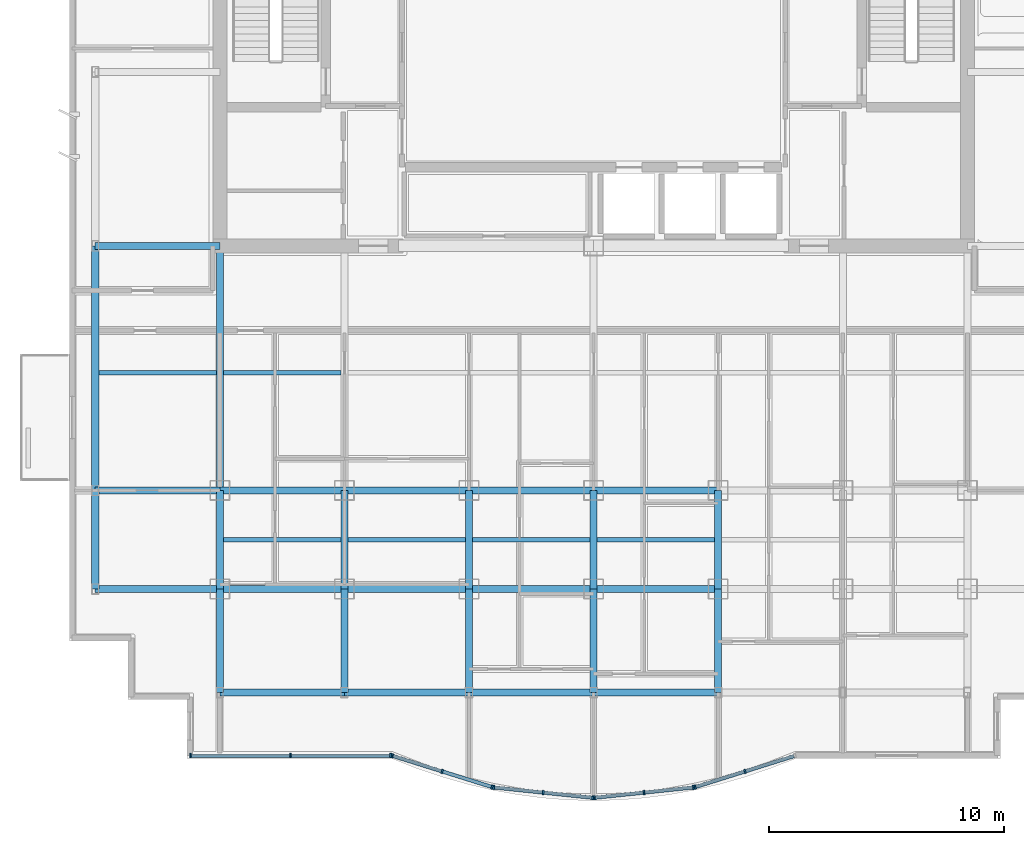
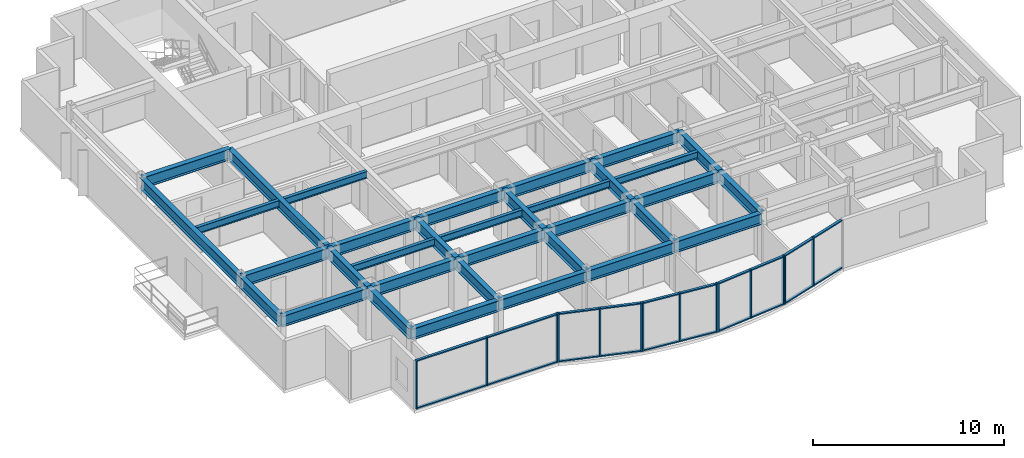
# One storey, part 2 of 11: 34 beams, 34 members, 5 elements without a shape of their own.
"""IFC4 building model written with IfcOpenShell, lengths in metres."""

from ifc_helpers import new_model, si_unit, direction, frame, origin, origin_2d, place, context, subcontext, project, spatial, rectangle, i_section, extrude, source, transform, mapped, material, layer, layer_set, material_profile, profile_set, type_object, element, aggregate, save


model = new_model("IFC4")

# Units and contexts
model_context = context("Model", 3, precision=1e-05, world=origin(), true_north=direction((0.0, 1.0)))
body_context = subcontext(model_context, "Body", "Model", "MODEL_VIEW")
ifc_project = project(units=[si_unit("LENGTHUNIT", "METRE"), si_unit("AREAUNIT", "SQUARE_METRE"), si_unit("VOLUMEUNIT", "CUBIC_METRE"), si_unit("PLANEANGLEUNIT", "RADIAN"), si_unit("MASSUNIT", "GRAM", prefix="KILO")], contexts=[model_context])

# Site, building, storey
site_placement = place(None, origin())
site = spatial("IfcSite", under=ifc_project, at=site_placement, CompositionType="ELEMENT")
building_placement = place(site_placement, origin())
building = spatial("IfcBuilding", under=site, at=building_placement, Name="Qianlan Lanfeng Residences", CompositionType="ELEMENT")
storey_placement = place(building_placement, frame((0.0, 0.0, 172.199951171875)))
storey = spatial("IfcBuildingStorey", under=building, at=storey_placement, Name="L47", CompositionType="ELEMENT", Elevation=172.199951171875)

# Beams
ifc_material_1 = material(Name="Steel SN490B", Category="steel")
ifc_material_profile_1 = material_profile(ifc_material_1, i_section(OverallWidth=0.300048828125, OverallDepth=0.699951171875, WebThickness=0.012939453125, FlangeThickness=0.02392578125, at=origin_2d()), Name="H 700x300x13x24")
ifc_profile_set_1 = profile_set([ifc_material_profile_1], Name="Steel SN490B")
beam_type_1 = type_object("IfcBeamType", Name="G-750", PredefinedType="BEAM", material=ifc_profile_set_1)
beam_1_placement = place(storey_placement, frame((5.300048828125, 10.60009765625, 2.75), z_axis=(1.0, 0.0, 0.0), x_axis=(0.0, 1.0, 0.0)))
element("IfcBeam", 1, at=beam_1_placement, inside=storey, type_object=beam_type_1, Name="Structural beam G-750", PredefinedType="BEAM", context=body_context, shape_type="SweptSolid", body=[
    extrude(i_section(OverallWidth=0.300048828125, OverallDepth=0.699951171875, WebThickness=0.012939453125, FlangeThickness=0.02392578125, at=origin_2d()), origin(), (0.0, 0.0, 1.0), 5.300048828125),
])
beam_2_placement = place(storey_placement, frame((10.60009765625, 10.60009765625, 2.75), z_axis=(1.0, 0.0, 0.0), x_axis=(0.0, 1.0, 0.0)))
element("IfcBeam", 2, at=beam_2_placement, inside=storey, type_object=beam_type_1, Name="Structural beam G-750", PredefinedType="BEAM", context=body_context, shape_type="SweptSolid", body=[
    extrude(i_section(OverallWidth=0.300048828125, OverallDepth=0.699951171875, WebThickness=0.012939453125, FlangeThickness=0.02392578125, at=origin_2d()), origin(), (0.0, 0.0, 1.0), 5.2998046875),
])
for number, where, z_axis, x_axis, name in (
    (3, (15.89990234375, 10.60009765625, 2.75), (1.0, 0.0, 0.0), (0.0, 1.0, 0.0), "Structural beam G-750"),
    (4, (21.199951171875, 10.60009765625, 2.75), (1.0, 0.0, 0.0), (0.0, 1.0, 0.0), "Structural beam G-750"),
    (5, (26.5, 10.60009765625, 2.75), (1.0, 0.0, 0.0), (0.0, 1.0, 0.0), "Structural beam G-750"),
    (6, (5.300048828125, 14.800048828125, 2.75), (1.0, 0.0, 0.0), (0.0, 1.0, 0.0), "Structural beam G-750"),
):
    element("IfcBeam", number, at=place(storey_placement, frame(where, z_axis=z_axis, x_axis=x_axis)), inside=storey, type_object=beam_type_1, Name=name, PredefinedType="BEAM", context=body_context, shape_type="SweptSolid", body=[
        extrude(i_section(OverallWidth=0.300048828125, OverallDepth=0.699951171875, WebThickness=0.012939453125, FlangeThickness=0.02392578125, at=origin_2d()), origin(), (0.0, 0.0, 1.0), 5.300048828125),
    ])
beam_3_placement = place(storey_placement, frame((10.60009765625, 14.800048828125, 2.75), z_axis=(1.0, 0.0, 0.0), x_axis=(0.0, 1.0, 0.0)))
element("IfcBeam", 7, at=beam_3_placement, inside=storey, type_object=beam_type_1, Name="Structural beam G-750", PredefinedType="BEAM", context=body_context, shape_type="SweptSolid", body=[
    extrude(i_section(OverallWidth=0.300048828125, OverallDepth=0.699951171875, WebThickness=0.012939453125, FlangeThickness=0.02392578125, at=origin_2d()), origin(), (0.0, 0.0, 1.0), 5.2998046875),
])
for number, where, z_axis, x_axis, name in (
    (8, (15.89990234375, 14.800048828125, 2.75), (1.0, 0.0, 0.0), (0.0, 1.0, 0.0), "Structural beam G-750"),
    (9, (21.199951171875, 14.800048828125, 2.75), (1.0, 0.0, 0.0), (0.0, 1.0, 0.0), "Structural beam G-750"),
    (10, (26.5, 14.800048828125, 2.75), (1.0, 0.0, 0.0), (0.0, 1.0, 0.0), "Structural beam G-750"),
    (11, (5.300048828125, 25.199951171875, 2.75), (1.0, 0.0, 0.0), (0.0, 1.0, 0.0), "Structural beam G-750"),
):
    element("IfcBeam", number, at=place(storey_placement, frame(where, z_axis=z_axis, x_axis=x_axis)), inside=storey, type_object=beam_type_1, Name=name, PredefinedType="BEAM", context=body_context, shape_type="SweptSolid", body=[
        extrude(i_section(OverallWidth=0.300048828125, OverallDepth=0.699951171875, WebThickness=0.012939453125, FlangeThickness=0.02392578125, at=origin_2d()), origin(), (0.0, 0.0, 1.0), 5.300048828125),
    ])
beam_4_placement = place(storey_placement, frame((10.60009765625, 6.199951171875, 2.75), z_axis=(0.0, 1.0, 0.0), x_axis=(-1.0, 0.0, 0.0)))
element("IfcBeam", 12, at=beam_4_placement, inside=storey, type_object=beam_type_1, Name="Structural beam G-750", PredefinedType="BEAM", context=body_context, shape_type="SweptSolid", body=[
    extrude(i_section(OverallWidth=0.300048828125, OverallDepth=0.699951171875, WebThickness=0.012939453125, FlangeThickness=0.02392578125, at=origin_2d()), origin(), (0.0, 0.0, 1.0), 4.400146484375),
])
beam_5_placement = place(storey_placement, frame((10.60009765625, 10.60009765625, 2.75), z_axis=(0.0, 1.0, 0.0), x_axis=(-1.0, 0.0, 0.0)))
element("IfcBeam", 13, at=beam_5_placement, inside=storey, type_object=beam_type_1, Name="Structural beam G-750", PredefinedType="BEAM", context=body_context, shape_type="SweptSolid", body=[
    extrude(i_section(OverallWidth=0.300048828125, OverallDepth=0.699951171875, WebThickness=0.012939453125, FlangeThickness=0.02392578125, at=origin_2d()), origin(), (0.0, 0.0, 1.0), 4.199951171875),
])
beam_6_placement = place(storey_placement, frame((10.60009765625, 14.800048828125, 2.75), z_axis=(0.0, 1.0, 0.0), x_axis=(-1.0, 0.0, 0.0)))
element("IfcBeam", 14, at=beam_6_placement, inside=storey, type_object=beam_type_1, Name="Structural beam G-750", PredefinedType="BEAM", context=body_context, shape_type="SweptSolid", body=[
    extrude(i_section(OverallWidth=0.300048828125, OverallDepth=0.699951171875, WebThickness=0.012939453125, FlangeThickness=0.02392578125, at=origin_2d()), origin(), (0.0, 0.0, 1.0), 10.39990234375),
])
beam_7_placement = place(storey_placement, frame((15.89990234375, 6.199951171875, 2.75), z_axis=(0.0, 1.0, 0.0), x_axis=(-1.0, 0.0, 0.0)))
element("IfcBeam", 15, at=beam_7_placement, inside=storey, type_object=beam_type_1, Name="Structural beam G-750", PredefinedType="BEAM", context=body_context, shape_type="SweptSolid", body=[
    extrude(i_section(OverallWidth=0.300048828125, OverallDepth=0.699951171875, WebThickness=0.012939453125, FlangeThickness=0.02392578125, at=origin_2d()), origin(), (0.0, 0.0, 1.0), 4.400146484375),
])
beam_8_placement = place(storey_placement, frame((15.89990234375, 10.60009765625, 2.75), z_axis=(0.0, 1.0, 0.0), x_axis=(-1.0, 0.0, 0.0)))
element("IfcBeam", 16, at=beam_8_placement, inside=storey, type_object=beam_type_1, Name="Structural beam G-750", PredefinedType="BEAM", context=body_context, shape_type="SweptSolid", body=[
    extrude(i_section(OverallWidth=0.300048828125, OverallDepth=0.699951171875, WebThickness=0.012939453125, FlangeThickness=0.02392578125, at=origin_2d()), origin(), (0.0, 0.0, 1.0), 4.199951171875),
])
beam_9_placement = place(storey_placement, frame((21.199951171875, 6.199951171875, 2.75), z_axis=(0.0, 1.0, 0.0), x_axis=(-1.0, 0.0, 0.0)))
element("IfcBeam", 17, at=beam_9_placement, inside=storey, type_object=beam_type_1, Name="Structural beam G-750", PredefinedType="BEAM", context=body_context, shape_type="SweptSolid", body=[
    extrude(i_section(OverallWidth=0.300048828125, OverallDepth=0.699951171875, WebThickness=0.012939453125, FlangeThickness=0.02392578125, at=origin_2d()), origin(), (0.0, 0.0, 1.0), 4.400146484375),
])
beam_10_placement = place(storey_placement, frame((21.199951171875, 10.60009765625, 2.75), z_axis=(0.0, 1.0, 0.0), x_axis=(-1.0, 0.0, 0.0)))
element("IfcBeam", 18, at=beam_10_placement, inside=storey, type_object=beam_type_1, Name="Structural beam G-750", PredefinedType="BEAM", context=body_context, shape_type="SweptSolid", body=[
    extrude(i_section(OverallWidth=0.300048828125, OverallDepth=0.699951171875, WebThickness=0.012939453125, FlangeThickness=0.02392578125, at=origin_2d()), origin(), (0.0, 0.0, 1.0), 4.199951171875),
])
beam_11_placement = place(storey_placement, frame((26.5, 6.199951171875, 2.75), z_axis=(0.0, 1.0, 0.0), x_axis=(-1.0, 0.0, 0.0)))
element("IfcBeam", 19, at=beam_11_placement, inside=storey, type_object=beam_type_1, Name="Structural beam G-750", PredefinedType="BEAM", context=body_context, shape_type="SweptSolid", body=[
    extrude(i_section(OverallWidth=0.300048828125, OverallDepth=0.699951171875, WebThickness=0.012939453125, FlangeThickness=0.02392578125, at=origin_2d()), origin(), (0.0, 0.0, 1.0), 4.400146484375),
])
beam_12_placement = place(storey_placement, frame((26.5, 10.60009765625, 2.75), z_axis=(0.0, 1.0, 0.0), x_axis=(-1.0, 0.0, 0.0)))
element("IfcBeam", 20, at=beam_12_placement, inside=storey, type_object=beam_type_1, Name="Structural beam G-750", PredefinedType="BEAM", context=body_context, shape_type="SweptSolid", body=[
    extrude(i_section(OverallWidth=0.300048828125, OverallDepth=0.699951171875, WebThickness=0.012939453125, FlangeThickness=0.02392578125, at=origin_2d()), origin(), (0.0, 0.0, 1.0), 4.199951171875),
])
beam_13_placement = place(storey_placement, frame((31.800048828125, 6.199951171875, 2.75), z_axis=(0.0, 1.0, 0.0), x_axis=(-1.0, 0.0, 0.0)))
element("IfcBeam", 21, at=beam_13_placement, inside=storey, type_object=beam_type_1, Name="Structural beam G-750", PredefinedType="BEAM", context=body_context, shape_type="SweptSolid", body=[
    extrude(i_section(OverallWidth=0.300048828125, OverallDepth=0.699951171875, WebThickness=0.012939453125, FlangeThickness=0.02392578125, at=origin_2d()), origin(), (0.0, 0.0, 1.0), 4.400146484375),
])
beam_14_placement = place(storey_placement, frame((31.800048828125, 10.60009765625, 2.75), z_axis=(0.0, 1.0, 0.0), x_axis=(-1.0, 0.0, 0.0)))
element("IfcBeam", 22, at=beam_14_placement, inside=storey, type_object=beam_type_1, Name="Structural beam G-750", PredefinedType="BEAM", context=body_context, shape_type="SweptSolid", body=[
    extrude(i_section(OverallWidth=0.300048828125, OverallDepth=0.699951171875, WebThickness=0.012939453125, FlangeThickness=0.02392578125, at=origin_2d()), origin(), (0.0, 0.0, 1.0), 4.199951171875),
])
ifc_material_profile_2 = material_profile(ifc_material_1, i_section(OverallWidth=0.199951171875, OverallDepth=0.449951171875, WebThickness=0.009033203125, FlangeThickness=0.013916015625, at=origin_2d()), Name="H 450x200x9x14")
ifc_profile_set_2 = profile_set([ifc_material_profile_2], Name="Steel SN490B")
beam_type_2 = type_object("IfcBeamType", Name="J-450", PredefinedType="JOIST", material=ifc_profile_set_2)
for number, where, z_axis, x_axis, name in (
    (23, (10.75, 12.699951171875, 2.875), (1.0, 0.0, 0.0), (0.0, 1.0, 0.0), "Structural beam J-450"),
    (24, (16.050048828125, 12.699951171875, 2.875), (1.0, 0.0, 0.0), (0.0, 1.0, 0.0), "Structural beam J-450"),
    (25, (21.35009765625, 12.699951171875, 2.875), (1.0, 0.0, 0.0), (0.0, 1.0, 0.0), "Structural beam J-450"),
    (26, (26.64990234375, 12.699951171875, 2.875), (1.0, 0.0, 0.0), (0.0, 1.0, 0.0), "Structural beam J-450"),
    (27, (5.449951171875, 19.800048828125, 2.875), (1.0, 0.0, 0.0), (0.0, 1.0, 0.0), "Structural beam J-450"),
    (28, (10.75, 19.800048828125, 2.875), (1.0, 0.0, 0.0), (0.0, 1.0, 0.0), "Structural beam J-450"),
):
    element("IfcBeam", number, at=place(storey_placement, frame(where, z_axis=z_axis, x_axis=x_axis)), inside=storey, type_object=beam_type_2, Name=name, PredefinedType="JOIST", context=body_context, shape_type="SweptSolid", body=[
        extrude(i_section(OverallWidth=0.199951171875, OverallDepth=0.449951171875, WebThickness=0.009033203125, FlangeThickness=0.013916015625, at=origin_2d()), origin(), (0.0, 0.0, 1.0), 5.0),
    ])
ifc_material_profile_3 = material_profile(ifc_material_1, i_section(OverallWidth=0.300048828125, OverallDepth=0.699951171875, WebThickness=0.012939453125, FlangeThickness=0.02392578125, at=origin_2d()), Name="H 700x300x13x24")
ifc_profile_set_3 = profile_set([ifc_material_profile_3], Name="Steel SN490B")
beam_type_3 = type_object("IfcBeamType", Name="SG-750", PredefinedType="SPANDREL", material=ifc_profile_set_3)
beam_15_placement = place(storey_placement, frame((10.60009765625, 6.199951171875, 2.739990234375), z_axis=(1.0, 0.0, 0.0), x_axis=(0.0, 1.0, 0.0)))
element("IfcBeam", 29, at=beam_15_placement, inside=storey, type_object=beam_type_3, Name="Structural beam SG-750", PredefinedType="SPANDREL", context=body_context, shape_type="SweptSolid", body=[
    extrude(i_section(OverallWidth=0.300048828125, OverallDepth=0.699951171875, WebThickness=0.012939453125, FlangeThickness=0.02392578125, at=origin_2d()), origin(), (0.0, 0.0, 1.0), 5.2998046875),
])
for number, where, z_axis, x_axis, name in (
    (30, (15.89990234375, 6.199951171875, 2.739990234375), (1.0, 0.0, 0.0), (0.0, 1.0, 0.0), "Structural beam SG-750"),
    (31, (21.199951171875, 6.199951171875, 2.739990234375), (1.0, 0.0, 0.0), (0.0, 1.0, 0.0), "Structural beam SG-750"),
    (32, (26.5, 6.199951171875, 2.739990234375), (1.0, 0.0, 0.0), (0.0, 1.0, 0.0), "Structural beam SG-750"),
):
    element("IfcBeam", number, at=place(storey_placement, frame(where, z_axis=z_axis, x_axis=x_axis)), inside=storey, type_object=beam_type_3, Name=name, PredefinedType="SPANDREL", context=body_context, shape_type="SweptSolid", body=[
        extrude(i_section(OverallWidth=0.300048828125, OverallDepth=0.699951171875, WebThickness=0.012939453125, FlangeThickness=0.02392578125, at=origin_2d()), origin(), (0.0, 0.0, 1.0), 5.300048828125),
    ])
beam_16_placement = place(storey_placement, frame((5.300048828125, 10.60009765625, 2.739990234375), z_axis=(0.0, 1.0, 0.0), x_axis=(-1.0, 0.0, 0.0)))
element("IfcBeam", 33, at=beam_16_placement, inside=storey, type_object=beam_type_3, Name="Structural beam SG-750", PredefinedType="SPANDREL", context=body_context, shape_type="SweptSolid", body=[
    extrude(i_section(OverallWidth=0.300048828125, OverallDepth=0.699951171875, WebThickness=0.012939453125, FlangeThickness=0.02392578125, at=origin_2d()), origin(), (0.0, 0.0, 1.0), 4.199951171875),
])
beam_17_placement = place(storey_placement, frame((5.300048828125, 14.800048828125, 2.739990234375), z_axis=(0.0, 1.0, 0.0), x_axis=(-1.0, 0.0, 0.0)))
element("IfcBeam", 34, at=beam_17_placement, inside=storey, type_object=beam_type_3, Name="Structural beam SG-750", PredefinedType="SPANDREL", context=body_context, shape_type="SweptSolid", body=[
    extrude(i_section(OverallWidth=0.300048828125, OverallDepth=0.699951171875, WebThickness=0.012939453125, FlangeThickness=0.02392578125, at=origin_2d()), origin(), (0.0, 0.0, 1.0), 10.39990234375),
])

# Curtain wall, members
ifc_material_2 = material(Name="Anodised Bronze Aluminium 6063-T6", Category="aluminium")
ifc_layer = layer(ifc_material_2, 0.219970703125)
ifc_layer_set = layer_set([ifc_layer], Name="Anodised Bronze Aluminium 6063-T6")
curtain_wall_type = type_object("IfcCurtainWallType", Name="CW-04", PredefinedType="NOTDEFINED", material=ifc_layer_set)
curtain_wall_1_placement = place(storey_placement, origin())
curtain_wall_1 = element("IfcCurtainWall", 35, at=curtain_wall_1_placement, inside=storey, type_object=curtain_wall_type, Name="L47 Unitised Curtain Wall CWR-L47-01 (CW-04)", PredefinedType="NOTDEFINED")
ifc_material_profile_4 = material_profile(ifc_material_2, rectangle(XDim=0.074951171875, YDim=0.14990234375, at=origin_2d()), Name="ALU TRANSOM 75x150")
ifc_profile_set_4 = profile_set([ifc_material_profile_4], Name="Anodised Bronze Aluminium 6063-T6")
member_type_1 = type_object("IfcMemberType", Name="CWT-150", PredefinedType="USERDEFINED", material=ifc_profile_set_4)
shared_shape_1 = source(origin(), body_context, "Body", "SweptSolid", [
    extrude(rectangle(XDim=0.074951171875, YDim=0.14990234375, at=origin_2d()), origin(), (0.0, 0.0, 1.0), 4.178955078125),
])
member_1_placement = place(storey_placement, frame((9.39501953125, 3.52001953125, 0.03759765625), z_axis=(1.0, 0.0, 0.0), x_axis=(0.0, 0.0, 1.0)))
member_1 = element("IfcMember", 36, at=member_1_placement, type_object=member_type_1, Name="CWR-L47-01 Transom 1-BOT", ObjectType="TRANSOM", PredefinedType="USERDEFINED", context=body_context, shape_type="MappedRepresentation", body=[
    mapped(shared_shape_1, transform((0.0, 0.0, 0.0), scale=1.0)),
])
member_2_placement = place(storey_placement, frame((9.39501953125, 3.52001953125, 3.0625), z_axis=(1.0, 0.0, 0.0), x_axis=(0.0, 0.0, 1.0)))
member_2 = element("IfcMember", 37, at=member_2_placement, type_object=member_type_1, Name="CWR-L47-01 Transom 1-TOP", ObjectType="TRANSOM", PredefinedType="USERDEFINED", context=body_context, shape_type="MappedRepresentation", body=[
    mapped(shared_shape_1, transform((0.0, 0.0, 0.0), scale=1.0)),
])
member_3_placement = place(storey_placement, frame((13.64892578125, 3.52001953125, 0.03759765625), z_axis=(1.0, 0.0, 0.0), x_axis=(0.0, 0.0, 1.0)))
member_3 = element("IfcMember", 38, at=member_3_placement, type_object=member_type_1, Name="CWR-L47-01 Transom 2-BOT", ObjectType="TRANSOM", PredefinedType="USERDEFINED", context=body_context, shape_type="MappedRepresentation", body=[
    mapped(shared_shape_1, transform((0.0, 0.0, 0.0), scale=1.0)),
])
member_4_placement = place(storey_placement, frame((13.64892578125, 3.52001953125, 3.0625), z_axis=(1.0, 0.0, 0.0), x_axis=(0.0, 0.0, 1.0)))
member_4 = element("IfcMember", 39, at=member_4_placement, type_object=member_type_1, Name="CWR-L47-01 Transom 2-TOP", ObjectType="TRANSOM", PredefinedType="USERDEFINED", context=body_context, shape_type="MappedRepresentation", body=[
    mapped(shared_shape_1, transform((0.0, 0.0, 0.0), scale=1.0)),
])

curtain_wall_2_placement = place(storey_placement, origin())
curtain_wall_2 = element("IfcCurtainWall", 40, at=curtain_wall_2_placement, inside=storey, type_object=curtain_wall_type, Name="L47 Unitised Curtain Wall CWR-L47-04 (CW-04)", PredefinedType="NOTDEFINED")
shared_shape_2 = source(origin(), body_context, "Body", "SweptSolid", [
    extrude(rectangle(XDim=0.074951171875, YDim=0.14990234375, at=origin_2d()), origin(), (0.0, 0.0, 1.0), 2.04150390625),
])
member_5_placement = place(storey_placement, frame((26.57470703125, 1.727783203125, 0.03759765625), z_axis=(0.994573388245, 0.104037374988, 0.0), x_axis=(0.0, 0.0, 1.0)))
member_5 = element("IfcMember", 41, at=member_5_placement, type_object=member_type_1, Name="CWR-L47-04 Transom 1-BOT", ObjectType="TRANSOM", PredefinedType="USERDEFINED", context=body_context, shape_type="MappedRepresentation", body=[
    mapped(shared_shape_2, transform((0.0, 0.0, 0.0), scale=1.0)),
])
member_6_placement = place(storey_placement, frame((26.57470703125, 1.727783203125, 3.0625), z_axis=(0.994573388245, 0.104037374988, 0.0), x_axis=(0.0, 0.0, 1.0)))
member_6 = element("IfcMember", 42, at=member_6_placement, type_object=member_type_1, Name="CWR-L47-04 Transom 1-TOP", ObjectType="TRANSOM", PredefinedType="USERDEFINED", context=body_context, shape_type="MappedRepresentation", body=[
    mapped(shared_shape_2, transform((0.0, 0.0, 0.0), scale=1.0)),
])

curtain_wall_3_placement = place(storey_placement, origin())
curtain_wall_3 = element("IfcCurtainWall", 43, at=curtain_wall_3_placement, inside=storey, type_object=curtain_wall_type, Name="L47 Unitised Curtain Wall CWR-L47-03 (CW-04)", PredefinedType="NOTDEFINED")
shared_shape_3 = source(origin(), body_context, "Body", "SweptSolid", [
    extrude(rectangle(XDim=0.074951171875, YDim=0.14990234375, at=origin_2d()), origin(), (0.0, 0.0, 1.0), 2.041748046875),
])
member_7_placement = place(storey_placement, frame((22.28955078125, 2.16015625, 0.03759765625), z_axis=(0.994587046158, -0.103906725548, 0.0), x_axis=(0.0, 0.0, 1.0)))
member_7 = element("IfcMember", 44, at=member_7_placement, type_object=member_type_1, Name="CWR-L47-03 Transom 1-BOT", ObjectType="TRANSOM", PredefinedType="USERDEFINED", context=body_context, shape_type="MappedRepresentation", body=[
    mapped(shared_shape_3, transform((0.0, 0.0, 0.0), scale=1.0)),
])
member_8_placement = place(storey_placement, frame((22.28955078125, 2.16015625, 3.0625), z_axis=(0.994587046158, -0.103906725548, 0.0), x_axis=(0.0, 0.0, 1.0)))
member_8 = element("IfcMember", 45, at=member_8_placement, type_object=member_type_1, Name="CWR-L47-03 Transom 1-TOP", ObjectType="TRANSOM", PredefinedType="USERDEFINED", context=body_context, shape_type="MappedRepresentation", body=[
    mapped(shared_shape_3, transform((0.0, 0.0, 0.0), scale=1.0)),
])
member_9_placement = place(storey_placement, frame((24.394775390625, 1.940185546875, 0.03759765625), z_axis=(0.994574682356, -0.104025002843, 0.0), x_axis=(0.0, 0.0, 1.0)))
member_9 = element("IfcMember", 46, at=member_9_placement, type_object=member_type_1, Name="CWR-L47-03 Transom 2-BOT", ObjectType="TRANSOM", PredefinedType="USERDEFINED", context=body_context, shape_type="MappedRepresentation", body=[
    mapped(shared_shape_3, transform((0.0, 0.0, 0.0), scale=1.0)),
])
member_10_placement = place(storey_placement, frame((24.394775390625, 1.940185546875, 3.0625), z_axis=(0.994574682356, -0.104025002843, 0.0), x_axis=(0.0, 0.0, 1.0)))
member_10 = element("IfcMember", 47, at=member_10_placement, type_object=member_type_1, Name="CWR-L47-03 Transom 2-TOP", ObjectType="TRANSOM", PredefinedType="USERDEFINED", context=body_context, shape_type="MappedRepresentation", body=[
    mapped(shared_shape_3, transform((0.0, 0.0, 0.0), scale=1.0)),
])

# Member
member_11_placement = place(storey_placement, frame((28.6796875, 1.947998046875, 0.03759765625), z_axis=(0.994587046158, 0.103906725548, 0.0), x_axis=(0.0, 0.0, 1.0)))
member_11 = element("IfcMember", 48, at=member_11_placement, type_object=member_type_1, Name="CWR-L47-04 Transom 2-BOT", ObjectType="TRANSOM", PredefinedType="USERDEFINED", context=body_context, shape_type="MappedRepresentation", body=[
    mapped(shared_shape_3, transform((0.0, 0.0, 0.0), scale=1.0)),
])

member_12_placement = place(storey_placement, frame((28.6796875, 1.947998046875, 3.0625), z_axis=(0.994587046158, 0.103906725548, 0.0), x_axis=(0.0, 0.0, 1.0)))
member_12 = element("IfcMember", 49, at=member_12_placement, type_object=member_type_1, Name="CWR-L47-04 Transom 2-TOP", ObjectType="TRANSOM", PredefinedType="USERDEFINED", context=body_context, shape_type="MappedRepresentation", body=[
    mapped(shared_shape_3, transform((0.0, 0.0, 0.0), scale=1.0)),
])

# Curtain wall, members
curtain_wall_4_placement = place(storey_placement, origin())
curtain_wall_4 = element("IfcCurtainWall", 50, at=curtain_wall_4_placement, inside=storey, type_object=curtain_wall_type, Name="L47 Unitised Curtain Wall CWR-L47-02 (CW-04)", PredefinedType="NOTDEFINED")
shared_shape_4 = source(origin(), body_context, "Body", "SweptSolid", [
    extrude(rectangle(XDim=0.074951171875, YDim=0.14990234375, at=origin_2d()), origin(), (0.0, 0.0, 1.0), 2.14697265625),
])
member_13_placement = place(storey_placement, frame((17.974609375, 3.49755859375, 0.03759765625), z_axis=(0.954194238714, -0.299187825296, 0.0), x_axis=(0.0, 0.0, 1.0)))
member_13 = element("IfcMember", 51, at=member_13_placement, type_object=member_type_1, Name="CWR-L47-02 Transom 1-BOT", ObjectType="TRANSOM", PredefinedType="USERDEFINED", context=body_context, shape_type="MappedRepresentation", body=[
    mapped(shared_shape_4, transform((0.0, 0.0, 0.0), scale=1.0)),
])
member_14_placement = place(storey_placement, frame((17.974609375, 3.49755859375, 3.0625), z_axis=(0.954194238714, -0.299187825296, 0.0), x_axis=(0.0, 0.0, 1.0)))
member_14 = element("IfcMember", 52, at=member_14_placement, type_object=member_type_1, Name="CWR-L47-02 Transom 1-TOP", ObjectType="TRANSOM", PredefinedType="USERDEFINED", context=body_context, shape_type="MappedRepresentation", body=[
    mapped(shared_shape_4, transform((0.0, 0.0, 0.0), scale=1.0)),
])
member_15_placement = place(storey_placement, frame((20.0947265625, 2.832763671875, 0.03759765625), z_axis=(0.954194238714, -0.299187825296, 0.0), x_axis=(0.0, 0.0, 1.0)))
member_15 = element("IfcMember", 53, at=member_15_placement, type_object=member_type_1, Name="CWR-L47-02 Transom 2-BOT", ObjectType="TRANSOM", PredefinedType="USERDEFINED", context=body_context, shape_type="MappedRepresentation", body=[
    mapped(shared_shape_4, transform((0.0, 0.0, 0.0), scale=1.0)),
])
member_16_placement = place(storey_placement, frame((20.0947265625, 2.832763671875, 3.0625), z_axis=(0.954194238714, -0.299187825296, 0.0), x_axis=(0.0, 0.0, 1.0)))
member_16 = element("IfcMember", 54, at=member_16_placement, type_object=member_type_1, Name="CWR-L47-02 Transom 2-TOP", ObjectType="TRANSOM", PredefinedType="USERDEFINED", context=body_context, shape_type="MappedRepresentation", body=[
    mapped(shared_shape_4, transform((0.0, 0.0, 0.0), scale=1.0)),
])

curtain_wall_5_placement = place(storey_placement, origin())
curtain_wall_5 = element("IfcCurtainWall", 55, at=curtain_wall_5_placement, inside=storey, type_object=curtain_wall_type, Name="L47 Unitised Curtain Wall CWR-L47-05 (CW-04)", PredefinedType="NOTDEFINED")
member_17_placement = place(storey_placement, frame((30.856689453125, 2.1904296875, 0.03759765625), z_axis=(0.954194238714, 0.299187825296, 0.0), x_axis=(0.0, 0.0, 1.0)))
member_17 = element("IfcMember", 56, at=member_17_placement, type_object=member_type_1, Name="CWR-L47-05 Transom 1-BOT", ObjectType="TRANSOM", PredefinedType="USERDEFINED", context=body_context, shape_type="MappedRepresentation", body=[
    mapped(shared_shape_4, transform((0.0, 0.0, 0.0), scale=1.0)),
])
member_18_placement = place(storey_placement, frame((30.856689453125, 2.1904296875, 3.0625), z_axis=(0.954194238714, 0.299187825296, 0.0), x_axis=(0.0, 0.0, 1.0)))
member_18 = element("IfcMember", 57, at=member_18_placement, type_object=member_type_1, Name="CWR-L47-05 Transom 1-TOP", ObjectType="TRANSOM", PredefinedType="USERDEFINED", context=body_context, shape_type="MappedRepresentation", body=[
    mapped(shared_shape_4, transform((0.0, 0.0, 0.0), scale=1.0)),
])
member_19_placement = place(storey_placement, frame((32.976806640625, 2.855224609375, 0.03759765625), z_axis=(0.954194238714, 0.299187825296, 0.0), x_axis=(0.0, 0.0, 1.0)))
member_19 = element("IfcMember", 58, at=member_19_placement, type_object=member_type_1, Name="CWR-L47-05 Transom 2-BOT", ObjectType="TRANSOM", PredefinedType="USERDEFINED", context=body_context, shape_type="MappedRepresentation", body=[
    mapped(shared_shape_4, transform((0.0, 0.0, 0.0), scale=1.0)),
])
member_20_placement = place(storey_placement, frame((32.976806640625, 2.855224609375, 3.0625), z_axis=(0.954194238714, 0.299187825296, 0.0), x_axis=(0.0, 0.0, 1.0)))
member_20 = element("IfcMember", 59, at=member_20_placement, type_object=member_type_1, Name="CWR-L47-05 Transom 2-TOP", ObjectType="TRANSOM", PredefinedType="USERDEFINED", context=body_context, shape_type="MappedRepresentation", body=[
    mapped(shared_shape_4, transform((0.0, 0.0, 0.0), scale=1.0)),
])

# Member
ifc_material_profile_5 = material_profile(ifc_material_2, rectangle(XDim=0.074951171875, YDim=0.179931640625, at=origin_2d()), Name="ALU MULLION 75x180")
ifc_profile_set_5 = profile_set([ifc_material_profile_5], Name="Anodised Bronze Aluminium 6063-T6")
member_type_2 = type_object("IfcMemberType", Name="CWM-180", PredefinedType="MULLION", material=ifc_profile_set_5)
shared_shape_5 = source(origin(), body_context, "Body", "SweptSolid", [
    extrude(rectangle(XDim=0.074951171875, YDim=0.179931640625, at=origin_2d()), origin(), (0.0, 0.0, 1.0), 3.10009765625),
])
member_21_placement = place(storey_placement, frame((9.357421875, 3.52001953125, 0.0), z_axis=(0.0, 0.0, 1.0), x_axis=(1.0, 0.0, 0.0)))
member_21 = element("IfcMember", 60, at=member_21_placement, type_object=member_type_2, Name="CWR-L47-01 Mullion 1", PredefinedType="MULLION", context=body_context, shape_type="MappedRepresentation", body=[
    mapped(shared_shape_5, transform((0.0, 0.0, 0.0), scale=1.0)),
])

member_22_placement = place(storey_placement, frame((13.611572265625, 3.52001953125, 0.0), z_axis=(0.0, 0.0, 1.0), x_axis=(1.0, 0.0, 0.0)))
member_22 = element("IfcMember", 61, at=member_22_placement, type_object=member_type_2, Name="CWR-L47-01 Mullion 2", PredefinedType="MULLION", context=body_context, shape_type="MappedRepresentation", body=[
    mapped(shared_shape_5, transform((0.0, 0.0, 0.0), scale=1.0)),
])

member_23_placement = place(storey_placement, frame((17.865478515625, 3.52001953125, 0.0), z_axis=(0.0, 0.0, 1.0), x_axis=(1.0, 0.0, 0.0)))
member_23 = element("IfcMember", 62, at=member_23_placement, type_object=member_type_2, Name="CWR-L47-01 Mullion 3", PredefinedType="MULLION", context=body_context, shape_type="MappedRepresentation", body=[
    mapped(shared_shape_5, transform((0.0, 0.0, 0.0), scale=1.0)),
])

aggregate(curtain_wall_1, [member_21, member_22, member_23, member_1, member_2, member_3, member_4])

member_24_placement = place(storey_placement, frame((17.938720703125, 3.5087890625, 0.0), z_axis=(0.0, 0.0, 1.0), x_axis=(0.954195954421, -0.299182353367, 0.0)))
member_24 = element("IfcMember", 63, at=member_24_placement, type_object=member_type_2, Name="CWR-L47-02 Mullion 1", PredefinedType="MULLION", context=body_context, shape_type="MappedRepresentation", body=[
    mapped(shared_shape_5, transform((0.0, 0.0, 0.0), scale=1.0)),
])

member_25_placement = place(storey_placement, frame((20.05908203125, 2.843994140625, 0.0), z_axis=(0.0, 0.0, 1.0), x_axis=(0.954195954421, -0.299182353367, 0.0)))
member_25 = element("IfcMember", 64, at=member_25_placement, type_object=member_type_2, Name="CWR-L47-02 Mullion 2", PredefinedType="MULLION", context=body_context, shape_type="MappedRepresentation", body=[
    mapped(shared_shape_5, transform((0.0, 0.0, 0.0), scale=1.0)),
])

member_26_placement = place(storey_placement, frame((22.17919921875, 2.17919921875, 0.0), z_axis=(0.0, 0.0, 1.0), x_axis=(0.954195954421, -0.299182353367, 0.0)))
member_26 = element("IfcMember", 65, at=member_26_placement, type_object=member_type_2, Name="CWR-L47-02 Mullion 3", PredefinedType="MULLION", context=body_context, shape_type="MappedRepresentation", body=[
    mapped(shared_shape_5, transform((0.0, 0.0, 0.0), scale=1.0)),
])

aggregate(curtain_wall_4, [member_24, member_25, member_26, member_13, member_14, member_15, member_16])

member_27_placement = place(storey_placement, frame((22.252197265625, 2.1640625, 0.0), z_axis=(0.0, 0.0, 1.0), x_axis=(0.994579031105, -0.103983416397, 0.0)))
member_27 = element("IfcMember", 66, at=member_27_placement, type_object=member_type_2, Name="CWR-L47-03 Mullion 1", PredefinedType="MULLION", context=body_context, shape_type="MappedRepresentation", body=[
    mapped(shared_shape_5, transform((0.0, 0.0, 0.0), scale=1.0)),
])

member_28_placement = place(storey_placement, frame((24.357421875, 1.944091796875, 0.0), z_axis=(0.0, 0.0, 1.0), x_axis=(0.994579031105, -0.103983416397, 0.0)))
member_28 = element("IfcMember", 67, at=member_28_placement, type_object=member_type_2, Name="CWR-L47-03 Mullion 2", PredefinedType="MULLION", context=body_context, shape_type="MappedRepresentation", body=[
    mapped(shared_shape_5, transform((0.0, 0.0, 0.0), scale=1.0)),
])

member_29_placement = place(storey_placement, frame((26.462646484375, 1.723876953125, 0.0), z_axis=(0.0, 0.0, 1.0), x_axis=(0.994579031105, -0.103983416397, 0.0)))
member_29 = element("IfcMember", 68, at=member_29_placement, type_object=member_type_2, Name="CWR-L47-03 Mullion 3", PredefinedType="MULLION", context=body_context, shape_type="MappedRepresentation", body=[
    mapped(shared_shape_5, transform((0.0, 0.0, 0.0), scale=1.0)),
])

aggregate(curtain_wall_3, [member_27, member_28, member_29, member_7, member_8, member_9, member_10])

member_30_placement = place(storey_placement, frame((26.537353515625, 1.723876953125, 0.0), z_axis=(0.0, 0.0, 1.0), x_axis=(0.994579031105, 0.103983416397, 0.0)))
member_30 = element("IfcMember", 69, at=member_30_placement, type_object=member_type_2, Name="CWR-L47-04 Mullion 1", PredefinedType="MULLION", context=body_context, shape_type="MappedRepresentation", body=[
    mapped(shared_shape_5, transform((0.0, 0.0, 0.0), scale=1.0)),
])

member_31_placement = place(storey_placement, frame((28.642578125, 1.944091796875, 0.0), z_axis=(0.0, 0.0, 1.0), x_axis=(0.994579031105, 0.103983416397, 0.0)))
member_31 = element("IfcMember", 70, at=member_31_placement, type_object=member_type_2, Name="CWR-L47-04 Mullion 2", PredefinedType="MULLION", context=body_context, shape_type="MappedRepresentation", body=[
    mapped(shared_shape_5, transform((0.0, 0.0, 0.0), scale=1.0)),
])

member_32_placement = place(storey_placement, frame((30.747802734375, 2.1640625, 0.0), z_axis=(0.0, 0.0, 1.0), x_axis=(0.994579031105, 0.103983416397, 0.0)))
member_32 = element("IfcMember", 71, at=member_32_placement, type_object=member_type_2, Name="CWR-L47-04 Mullion 3", PredefinedType="MULLION", context=body_context, shape_type="MappedRepresentation", body=[
    mapped(shared_shape_5, transform((0.0, 0.0, 0.0), scale=1.0)),
])

aggregate(curtain_wall_2, [member_30, member_31, member_32, member_5, member_6, member_11, member_12])

member_33_placement = place(storey_placement, frame((30.82080078125, 2.17919921875, 0.0), z_axis=(0.0, 0.0, 1.0), x_axis=(0.954195954421, 0.299182353367, 0.0)))
member_33 = element("IfcMember", 72, at=member_33_placement, type_object=member_type_2, Name="CWR-L47-05 Mullion 1", PredefinedType="MULLION", context=body_context, shape_type="MappedRepresentation", body=[
    mapped(shared_shape_5, transform((0.0, 0.0, 0.0), scale=1.0)),
])

member_34_placement = place(storey_placement, frame((32.94091796875, 2.843994140625, 0.0), z_axis=(0.0, 0.0, 1.0), x_axis=(0.954195954421, 0.299182353367, 0.0)))
member_34 = element("IfcMember", 73, at=member_34_placement, type_object=member_type_2, Name="CWR-L47-05 Mullion 2", PredefinedType="MULLION", context=body_context, shape_type="MappedRepresentation", body=[
    mapped(shared_shape_5, transform((0.0, 0.0, 0.0), scale=1.0)),
])

aggregate(curtain_wall_5, [member_33, member_34, member_17, member_18, member_19, member_20])

save(model, "model.ifc")
